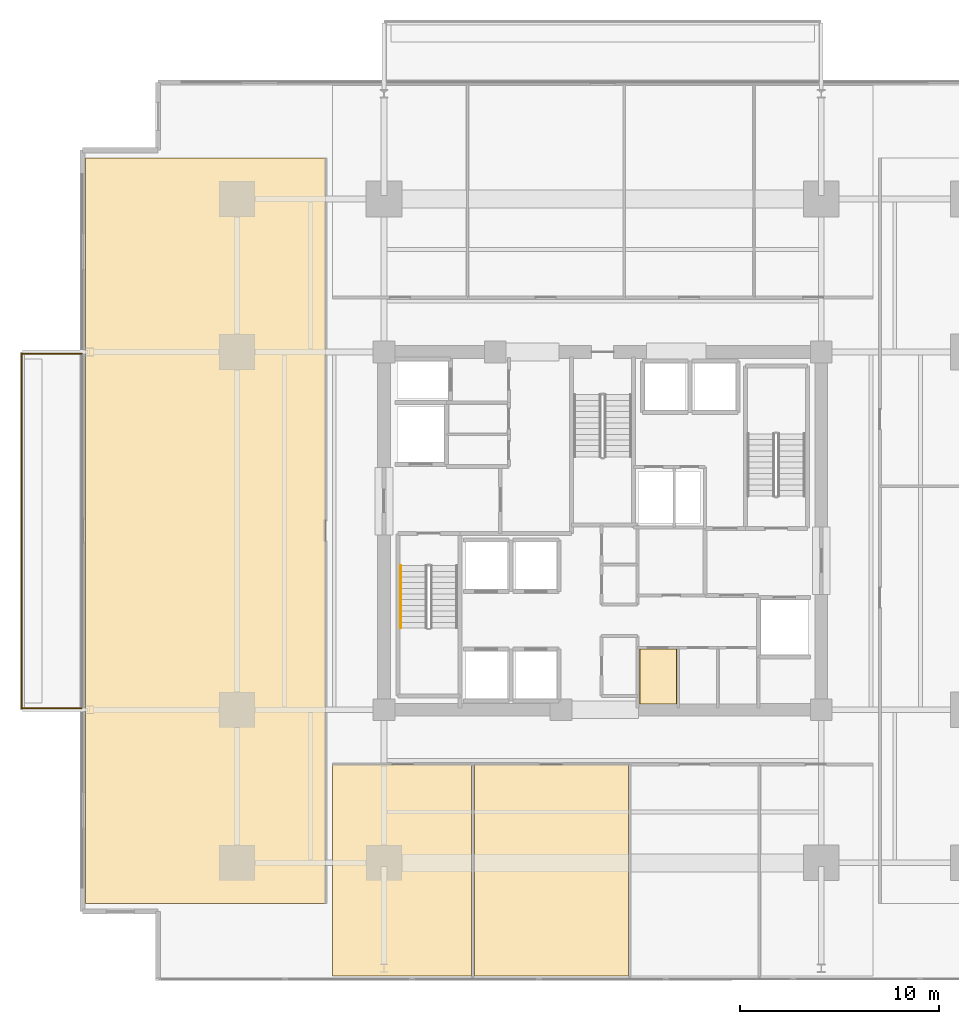
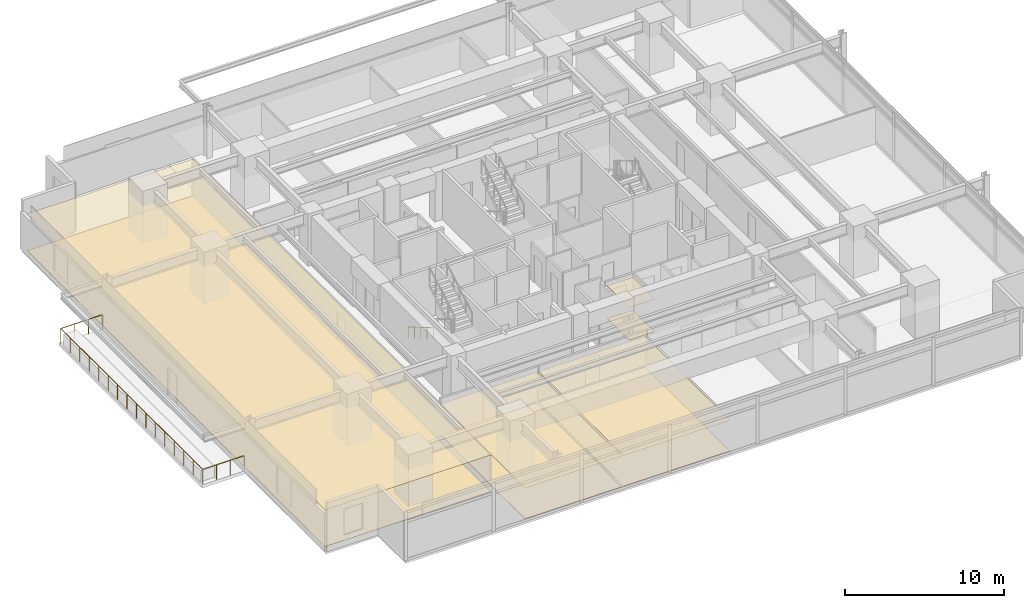
# One storey, part 17 of 20: 8 coverings, 2 railings.
"""IFC4 building model written with IfcOpenShell, lengths in metres."""

from ifc_helpers import new_model, si_unit, direction, frame, origin, origin_2d, place, context, subcontext, project, spatial, polyline, circle, outline, extrude, material, layer, layer_set, type_object, element, save


model = new_model("IFC4")

# Units and contexts
model_context = context("Model", 3, precision=1e-05, world=origin(), true_north=direction((0.0, 1.0)))
body_context = subcontext(model_context, "Body", "Model", "MODEL_VIEW")
ifc_project = project(units=[si_unit("LENGTHUNIT", "METRE"), si_unit("AREAUNIT", "SQUARE_METRE"), si_unit("VOLUMEUNIT", "CUBIC_METRE"), si_unit("PLANEANGLEUNIT", "RADIAN"), si_unit("MASSUNIT", "GRAM", prefix="KILO")], contexts=[model_context])

# Site, building, storey
site_placement = place(None, origin())
site = spatial("IfcSite", under=ifc_project, at=site_placement, CompositionType="ELEMENT")
building_placement = place(site_placement, origin())
building = spatial("IfcBuilding", under=site, at=building_placement, Name="Kovane Verandah Tower", CompositionType="ELEMENT")
storey_placement = place(building_placement, frame((0.0, 0.0, 75.60009765625)))
storey = spatial("IfcBuildingStorey", under=building, at=storey_placement, Name="L17", CompositionType="ELEMENT", Elevation=75.60009765625)

# Coverings
ifc_material_1 = material(Name="Perforated Acoustic Mineral-Fibre Ceiling Tile", Category="gypsum")
ifc_layer_1 = layer(ifc_material_1, 0.02490234375)
ifc_layer_set_1 = layer_set([ifc_layer_1], Name="Perforated Acoustic Mineral-Fibre Ceiling Tile")
covering_type_1 = type_object("IfcCoveringType", Name="CV-CEIL-25", PredefinedType="CEILING", material=ifc_layer_set_1)
covering_1_placement = place(storey_placement, frame((0.0, 0.0, 2.514892578125)))
element("IfcCovering", 1, at=covering_1_placement, inside=storey, type_object=covering_type_1, Name="L17 Mail and Copy Room Acoustic Ceiling", PredefinedType="CEILING", context=body_context, shape_type="SweptSolid", body=[
    extrude(outline(polyline([(41.864990234375, 18.784912109375), (43.735107421875, 18.784912109375), (43.735107421875, 21.56494140625), (41.864990234375, 21.56494140625), (41.864990234375, 18.784912109375)])), origin(), (0.0, 0.0, 1.0), 0.02490234375),
])
covering_2_placement = place(storey_placement, frame((0.0, 0.0, 2.364990234375)))
element("IfcCovering", 2, at=covering_2_placement, inside=storey, type_object=covering_type_1, Name="L17 Open Plan Office S1 Acoustic Ceiling", PredefinedType="CEILING", context=body_context, shape_type="SweptSolid", body=[
    extrude(outline(polyline([(26.39990234375, 5.09619140625), (33.402099609375, 5.09619140625), (33.402099609375, 15.75), (26.39990234375, 15.75), (26.39990234375, 5.09619140625)])), origin(), (0.0, 0.0, 1.0), 0.02490234375),
])
covering_3_placement = place(storey_placement, frame((0.0, 0.0, 2.364990234375)))
element("IfcCovering", 3, at=covering_3_placement, inside=storey, type_object=covering_type_1, Name="L17 Executive Office S2 Acoustic Ceiling", PredefinedType="CEILING", context=body_context, shape_type="SweptSolid", body=[
    extrude(outline(polyline([(33.5419921875, 5.09619140625), (41.2900390625, 5.09619140625), (41.2900390625, 15.75), (33.5419921875, 15.75), (33.5419921875, 5.09619140625)])), origin(), (0.0, 0.0, 1.0), 0.02490234375),
])
covering_4_placement = place(storey_placement, frame((0.0, 0.0, 2.824951171875)))
element("IfcCovering", 4, at=covering_4_placement, inside=storey, type_object=covering_type_1, Name="L17 Focus Studio W1 Acoustic Ceiling", PredefinedType="CEILING", context=body_context, shape_type="SweptSolid", body=[
    extrude(outline(polyline([(13.987548828125, 8.746337890625), (26.050048828125, 8.746337890625), (26.050048828125, 46.253662109375), (13.987548828125, 46.253662109375), (13.987548828125, 8.746337890625)])), origin(), (0.0, 0.0, 1.0), 0.02490234375),
])
ifc_material_2 = material(Name="Polished Terrazzo and Raised-Access Carpet Tile Finish", Category="concrete")
ifc_layer_2 = layer(ifc_material_2, 0.030029296875)
ifc_layer_set_2 = layer_set([ifc_layer_2], Name="Polished Terrazzo and Raised-Access Carpet Tile Finish")
covering_type_2 = type_object("IfcCoveringType", Name="CV-FLOR-30", PredefinedType="FLOORING", material=ifc_layer_set_2)
covering_5_placement = place(storey_placement, origin())
element("IfcCovering", 5, at=covering_5_placement, inside=storey, type_object=covering_type_2, Name="L17 Mail and Copy Room Floor Finish", PredefinedType="FLOORING", context=body_context, shape_type="SweptSolid", body=[
    extrude(outline(polyline([(41.8798828125, 18.800048828125), (43.719970703125, 18.800048828125), (43.719970703125, 21.550048828125), (41.8798828125, 21.550048828125), (41.8798828125, 18.800048828125)])), origin(), (0.0, 0.0, 1.0), 0.02978515625),
])
covering_6_placement = place(storey_placement, origin())
element("IfcCovering", 6, at=covering_6_placement, inside=storey, type_object=covering_type_2, Name="L17 Open Plan Office S1 Floor Finish", PredefinedType="FLOORING", context=body_context, shape_type="SweptSolid", body=[
    extrude(outline(polyline([(26.39990234375, 5.09619140625), (33.402099609375, 5.09619140625), (33.402099609375, 15.75), (26.39990234375, 15.75), (26.39990234375, 5.09619140625)])), origin(), (0.0, 0.0, 1.0), 0.02978515625),
])
covering_7_placement = place(storey_placement, origin())
element("IfcCovering", 7, at=covering_7_placement, inside=storey, type_object=covering_type_2, Name="L17 Executive Office S2 Floor Finish", PredefinedType="FLOORING", context=body_context, shape_type="SweptSolid", body=[
    extrude(outline(polyline([(33.5419921875, 5.09619140625), (41.2900390625, 5.09619140625), (41.2900390625, 15.75), (33.5419921875, 15.75), (33.5419921875, 5.09619140625)])), origin(), (0.0, 0.0, 1.0), 0.02978515625),
])
covering_8_placement = place(storey_placement, origin())
element("IfcCovering", 8, at=covering_8_placement, inside=storey, type_object=covering_type_2, Name="L17 Focus Studio W1 Floor Finish", PredefinedType="FLOORING", context=body_context, shape_type="SweptSolid", body=[
    extrude(outline(polyline([(13.987548828125, 8.746337890625), (26.050048828125, 8.746337890625), (26.050048828125, 46.253662109375), (13.987548828125, 46.253662109375), (13.987548828125, 8.746337890625)])), origin(), (0.0, 0.0, 1.0), 0.02978515625),
])

# Railings
ifc_material_3 = material(Name="Laminated Glass and Pale-Champagne Stainless Balustrade", Category="glass")
railing_type_1 = type_object("IfcRailingType", Name="RL-BAL-1150", PredefinedType="BALUSTRADE", material=ifc_material_3)
railing_1_placement = place(storey_placement, frame((13.78759765625, 18.580078125, 0.0)))
element("IfcRailing", 9, at=railing_1_placement, inside=storey, type_object=railing_type_1, Name="L17 W Verandah Glass Balustrade", PredefinedType="BALUSTRADE", context=body_context, shape_type="SweptSolid", body=[
    extrude(circle(Radius=0.02392578125, at=origin_2d()), frame((0.0, 0.0, 1.1259765625), z_axis=(-1.0, 0.0, 0.0), x_axis=(0.0, -1.0, 0.0)), (0.0, 0.0, 1.0), 3.02001953125),
    extrude(circle(Radius=0.02392578125, at=origin_2d()), frame((-3.02001953125, 0.0, 1.1259765625), z_axis=(0.0, 1.0, 0.0), x_axis=(-1.0, 0.0, 0.0)), (0.0, 0.0, 1.0), 17.83984375),
    extrude(circle(Radius=0.02392578125, at=origin_2d()), frame((-3.02001953125, 17.83984375, 1.1259765625), z_axis=(1.0, 0.0, 0.0), x_axis=(0.0, 1.0, 0.0)), (0.0, 0.0, 1.0), 3.02001953125),
    extrude(circle(Radius=0.02099609375, at=origin_2d()), origin(), (0.0, 0.0, 1.0), 1.101806640625),
    extrude(circle(Radius=0.02099609375, at=origin_2d()), frame((-1.006591796875, 0.0, 0.0)), (0.0, 0.0, 1.0), 1.101806640625),
    extrude(circle(Radius=0.02099609375, at=origin_2d()), frame((-2.013427734375, 0.0, 0.0)), (0.0, 0.0, 1.0), 1.101806640625),
    extrude(circle(Radius=0.02099609375, at=origin_2d()), frame((-3.02001953125, 0.0, 0.0)), (0.0, 0.0, 1.0), 1.101806640625),
    extrude(circle(Radius=0.02099609375, at=origin_2d()), frame((-3.02001953125, 1.189208984375, 0.0)), (0.0, 0.0, 1.0), 1.101806640625),
    extrude(circle(Radius=0.02099609375, at=origin_2d()), frame((-3.02001953125, 2.378662109375, 0.0)), (0.0, 0.0, 1.0), 1.101806640625),
    extrude(circle(Radius=0.02099609375, at=origin_2d()), frame((-3.02001953125, 3.56787109375, 0.0)), (0.0, 0.0, 1.0), 1.101806640625),
    extrude(circle(Radius=0.02099609375, at=origin_2d()), frame((-3.02001953125, 4.75732421875, 0.0)), (0.0, 0.0, 1.0), 1.101806640625),
    extrude(circle(Radius=0.02099609375, at=origin_2d()), frame((-3.02001953125, 5.946533203125, 0.0)), (0.0, 0.0, 1.0), 1.101806640625),
    extrude(circle(Radius=0.02099609375, at=origin_2d()), frame((-3.02001953125, 7.135986328125, 0.0)), (0.0, 0.0, 1.0), 1.101806640625),
    extrude(circle(Radius=0.02099609375, at=origin_2d()), frame((-3.02001953125, 8.3251953125, 0.0)), (0.0, 0.0, 1.0), 1.101806640625),
    extrude(circle(Radius=0.02099609375, at=origin_2d()), frame((-3.02001953125, 9.5146484375, 0.0)), (0.0, 0.0, 1.0), 1.101806640625),
    extrude(circle(Radius=0.02099609375, at=origin_2d()), frame((-3.02001953125, 10.703857421875, 0.0)), (0.0, 0.0, 1.0), 1.101806640625),
    extrude(circle(Radius=0.02099609375, at=origin_2d()), frame((-3.02001953125, 11.893310546875, 0.0)), (0.0, 0.0, 1.0), 1.101806640625),
    extrude(circle(Radius=0.02099609375, at=origin_2d()), frame((-3.02001953125, 13.08251953125, 0.0)), (0.0, 0.0, 1.0), 1.101806640625),
    extrude(circle(Radius=0.02099609375, at=origin_2d()), frame((-3.02001953125, 14.27197265625, 0.0)), (0.0, 0.0, 1.0), 1.101806640625),
    extrude(circle(Radius=0.02099609375, at=origin_2d()), frame((-3.02001953125, 15.461181640625, 0.0)), (0.0, 0.0, 1.0), 1.101806640625),
    extrude(circle(Radius=0.02099609375, at=origin_2d()), frame((-3.02001953125, 16.650634765625, 0.0)), (0.0, 0.0, 1.0), 1.101806640625),
    extrude(circle(Radius=0.02099609375, at=origin_2d()), frame((-3.02001953125, 17.83984375, 0.0)), (0.0, 0.0, 1.0), 1.101806640625),
    extrude(circle(Radius=0.02099609375, at=origin_2d()), frame((-2.013427734375, 17.83984375, 0.0)), (0.0, 0.0, 1.0), 1.101806640625),
    extrude(circle(Radius=0.02099609375, at=origin_2d()), frame((-1.006591796875, 17.83984375, 0.0)), (0.0, 0.0, 1.0), 1.101806640625),
    extrude(circle(Radius=0.02099609375, at=origin_2d()), frame((0.0, 17.83984375, 0.0)), (0.0, 0.0, 1.0), 1.101806640625),
])
ifc_material_4 = material(Name="Brushed Stainless Steel Handrail", Category="steel")
railing_type_2 = type_object("IfcRailingType", Name="RL-HAND-920", PredefinedType="HANDRAIL", material=ifc_material_4)
railing_2_placement = place(storey_placement, frame((29.85009765625, 25.75, 0.16650390625)))
element("IfcRailing", 10, at=railing_2_placement, inside=storey, type_object=railing_type_2, Name="L17 ST-01 stair handrail 1", PredefinedType="HANDRAIL", context=body_context, shape_type="SweptSolid", body=[
    extrude(circle(Radius=0.02392578125, at=origin_2d()), frame((0.0, 0.0, 0.8759765625), z_axis=(0.0, -0.863210265497, 0.504844567704), x_axis=(1.0, 0.0, 0.0)), (0.0, 0.0, 1.0), 3.6318359375),
    extrude(circle(Radius=0.02099609375, at=origin_2d()), origin(), (0.0, 0.0, 1.0), 0.851806640625),
    extrude(circle(Radius=0.02099609375, at=origin_2d()), frame((0.0, -0.78369140625, 0.45849609375)), (0.0, 0.0, 1.0), 0.851806640625),
    extrude(circle(Radius=0.02099609375, at=origin_2d()), frame((0.0, -1.5673828125, 0.916748046875)), (0.0, 0.0, 1.0), 0.851806640625),
    extrude(circle(Radius=0.02099609375, at=origin_2d()), frame((0.0, -2.351318359375, 1.375)), (0.0, 0.0, 1.0), 0.851806640625),
    extrude(circle(Radius=0.02099609375, at=origin_2d()), frame((0.0, -3.135009765625, 1.83349609375)), (0.0, 0.0, 1.0), 0.851806640625),
])

save(model, "model.ifc")
